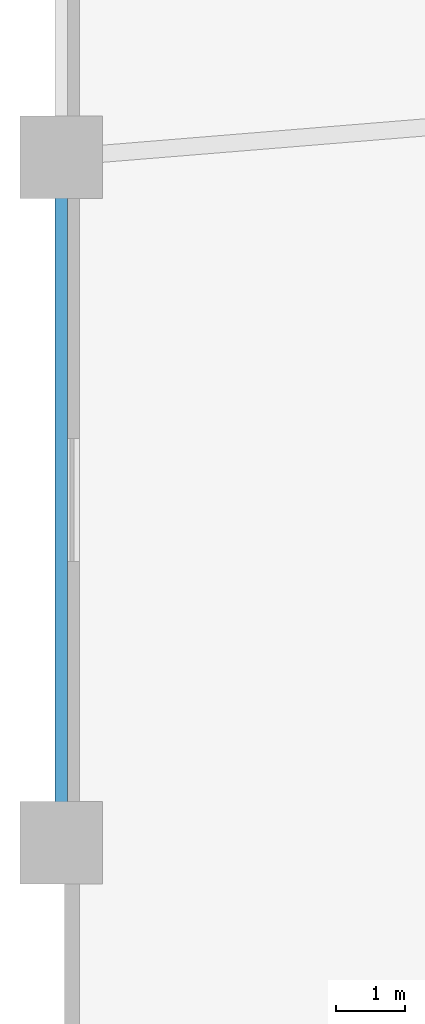
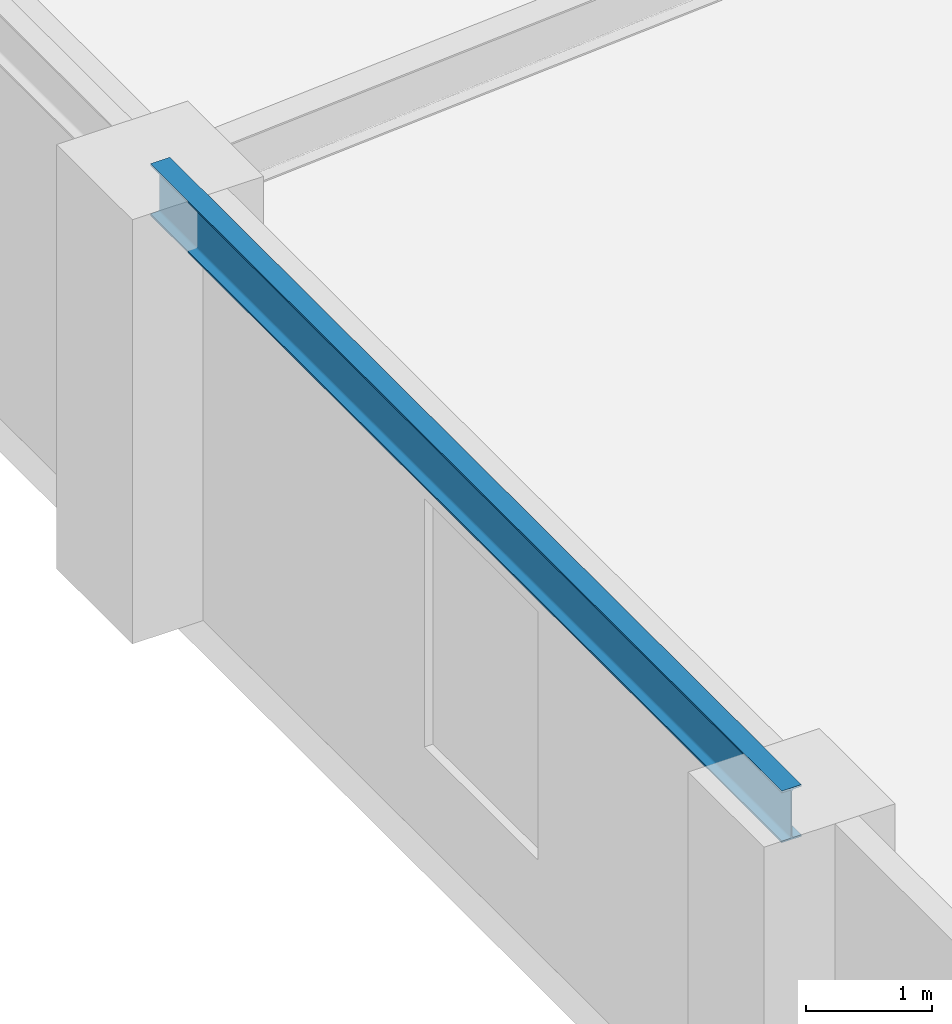
# One storey, part 3 of 23: 1 beam.
"""IFC4 building model written with IfcOpenShell, lengths in metres."""

import ifcopenshell
import ifcopenshell.guid

model = None  # the IFC model being written
_history = None  # IfcOwnerHistory: only IFC2X3 demands one
_inside = {}  # id of a spatial element -> (the spatial element, [elements in it])
_under = {}  # id of a project, library or spatial element -> (it, [spatial elements below it])
_declared = {}  # id of a project -> (the project, [libraries it declares])
_typed = {}  # id of a type object -> (the type object, [elements of that type])
_made_of = {}  # id of a material, layer set ... -> (it, [elements and type objects made of it])


def new_model(schema):
    """Start an empty IFC model of exactly this schema.

    Asked for "IFC4X3", IfcOpenShell would pick the latest addendum, in which some entities
    have other attributes; the version numbers below select the first issue.
    IFC2X3 requires an IfcOwnerHistory on every rooted entity: one is made here for all.
    """
    global model, _history
    if schema == "IFC4X3":
        model = ifcopenshell.file(schema_version=(4, 3, 0, 0))
    else:
        model = ifcopenshell.file(schema=schema)
    _inside.clear()
    _under.clear()
    _declared.clear()
    _typed.clear()
    _made_of.clear()
    _history = None
    if model.schema == "IFC2X3":
        org = make("IfcOrganization", Name="unknown")
        user = make(
            "IfcPersonAndOrganization",
            ThePerson=make("IfcPerson", FamilyName="unknown"),
            TheOrganization=org,
        )
        app = make(
            "IfcApplication",
            ApplicationDeveloper=org,
            Version="unknown",
            ApplicationFullName="unknown",
            ApplicationIdentifier="unknown",
        )
        _history = make(
            "IfcOwnerHistory",
            OwningUser=user,
            OwningApplication=app,
            ChangeAction="ADDED",
            CreationDate=0,
        )
    return model


def make(cls, **values):
    """One entity of the class cls with the attributes given. An attribute that is None is left unset."""
    return model.create_entity(
        cls, **{name: value for name, value in values.items() if value is not None}
    )


def rooted(cls, **values):
    """An entity with a GlobalId (a new one), such as an element, a storey or a relation."""
    return make(cls, GlobalId=ifcopenshell.guid.new(), OwnerHistory=_history, **values)


def si_unit(unit_type, name, prefix=None):
    """IfcSIUnit, for example si_unit("LENGTHUNIT", "METRE", prefix="MILLI")."""
    return make("IfcSIUnit", UnitType=unit_type, Prefix=prefix, Name=name)


def assignment(units):
    """IfcUnitAssignment: the units of a project."""
    return None if units is None else make("IfcUnitAssignment", Units=units)


def point(xyz):
    """IfcCartesianPoint."""
    return None if xyz is None else make("IfcCartesianPoint", Coordinates=xyz)


def direction(xyz):
    """IfcDirection."""
    return None if xyz is None else make("IfcDirection", DirectionRatios=xyz)


def frame(location, z_axis=None, x_axis=None):
    """IfcAxis2Placement3D, a coordinate frame: its origin and axes. An axis left out is left unset."""
    return make(
        "IfcAxis2Placement3D",
        Location=point(location),
        Axis=direction(z_axis),
        RefDirection=direction(x_axis),
    )


def frame_2d(location, x_axis=None):
    """IfcAxis2Placement2D, a coordinate frame in the plane: its origin and x axis."""
    return make(
        "IfcAxis2Placement2D", Location=point(location), RefDirection=direction(x_axis)
    )


def origin():
    """The frame at (0, 0, 0) with its axes left unset."""
    return frame((0.0, 0.0, 0.0))


def origin_2d():
    """The frame at (0, 0) in the plane with its x axis left unset."""
    return frame_2d((0.0, 0.0))


def place(relative_to, where):
    """IfcLocalPlacement: puts the frame where relative to a parent placement (None: the world)."""
    return make(
        "IfcLocalPlacement", PlacementRelTo=relative_to, RelativePlacement=where
    )


def context(
    kind, dimensions, precision=None, world=None, true_north=None, identifier=None
):
    """IfcGeometricRepresentationContext, for example the 3D "Model" context."""
    return make(
        "IfcGeometricRepresentationContext",
        ContextIdentifier=identifier,
        ContextType=kind,
        CoordinateSpaceDimension=dimensions,
        Precision=precision,
        WorldCoordinateSystem=world,
        TrueNorth=true_north,
    )


def subcontext(parent, identifier, kind, view, scale=None):
    """IfcGeometricRepresentationSubContext, for example "Body" below "Model"."""
    return make(
        "IfcGeometricRepresentationSubContext",
        ContextIdentifier=identifier,
        ContextType=kind,
        ParentContext=parent,
        TargetScale=scale,
        TargetView=view,
    )


def project(units=None, contexts=None):
    """IfcProject with its units and contexts."""
    return rooted(
        "IfcProject",
        Name="project",
        RepresentationContexts=contexts,
        UnitsInContext=assignment(units),
    )


def spatial(cls, under=None, at=None, **own):
    """A site, building, storey or space (cls), placed at a placement, below another one or the project."""
    s = rooted(cls, ObjectPlacement=at, **own)
    if under is not None:
        _under.setdefault(under.id(), (under, []))[1].append(s)
    return s


def profile(cls, at=None, kind="AREA", **sizes):
    """A parametric profile (cls). Its sizes go by their IFC names, for example OverallWidth=200.0."""
    return make(cls, ProfileType=kind, Position=at, **sizes)


def i_section(**sizes):
    """IfcIShapeProfileDef."""
    return profile("IfcIShapeProfileDef", **sizes)


def extrude(swept, where, along, depth):
    """IfcExtrudedAreaSolid: the profile swept, set in the frame where, extruded along a direction by depth."""
    return make(
        "IfcExtrudedAreaSolid",
        SweptArea=swept,
        Position=where,
        ExtrudedDirection=direction(along),
        Depth=depth,
    )


def shape(context_of_items, identifier, shape_type, items):
    """IfcShapeRepresentation: the items that make up one representation, for example the "Body"."""
    return make(
        "IfcShapeRepresentation",
        ContextOfItems=context_of_items,
        RepresentationIdentifier=identifier,
        RepresentationType=shape_type,
        Items=items,
    )


def source(mapping_origin, context_of_items, identifier, shape_type, items):
    """IfcRepresentationMap: a shape defined once, which mapped items show again and again."""
    return make(
        "IfcRepresentationMap",
        MappingOrigin=mapping_origin,
        MappedRepresentation=shape(context_of_items, identifier, shape_type, items),
    )


def transform(
    local_origin,
    x_axis=None,
    y_axis=None,
    z_axis=None,
    scale=None,
    scale2=None,
    scale3=None,
    uniform=True,
):
    """IfcCartesianTransformationOperator3D, or its non-uniform kind. x_axis, y_axis, z_axis: its Axis1, 2, 3."""
    if uniform:
        return make(
            "IfcCartesianTransformationOperator3D",
            Axis1=direction(x_axis),
            Axis2=direction(y_axis),
            LocalOrigin=point(local_origin),
            Scale=scale,
            Axis3=direction(z_axis),
        )
    return make(
        "IfcCartesianTransformationOperator3DnonUniform",
        Axis1=direction(x_axis),
        Axis2=direction(y_axis),
        LocalOrigin=point(local_origin),
        Scale=scale,
        Axis3=direction(z_axis),
        Scale2=scale2,
        Scale3=scale3,
    )


def mapped(mapping_source, mapping_target):
    """IfcMappedItem: shows the shape of a source again, moved by a transform."""
    return make(
        "IfcMappedItem", MappingSource=mapping_source, MappingTarget=mapping_target
    )


def material(Name=None, Category=None):
    """IfcMaterial."""
    return make("IfcMaterial", Name=Name, Category=Category)


def material_profile(
    of_material, cross_section, Name=None, Category=None, Priority=None
):
    """IfcMaterialProfile: a cross section and its material."""
    return make(
        "IfcMaterialProfile",
        Name=Name,
        Material=of_material,
        Profile=cross_section,
        Priority=Priority,
        Category=Category,
    )


def profile_set(profiles, Name=None, composite=None):
    """IfcMaterialProfileSet."""
    return make(
        "IfcMaterialProfileSet",
        Name=Name,
        MaterialProfiles=profiles,
        CompositeProfile=composite,
    )


def made_of(thing, what):
    """Note that an element or type object is made of a material, layer set ...; save() writes the relation."""
    if what is not None:
        _made_of.setdefault(what.id(), (what, []))[1].append(thing)
    return thing


def type_object(cls, material=None, **own):
    """A type object (cls), such as IfcWallType, which elements share."""
    return made_of(rooted(cls, **own), material)


def element(
    cls,
    number,
    at=None,
    inside=None,
    cuts=None,
    type_object=None,
    material=None,
    context=None,
    identifier="Body",
    shape_type=None,
    held_by="IfcProductDefinitionShape",
    body=None,
    shapes=None,
    **own,
):
    """One element of the class cls, such as IfcWall. Its Tag is "e" and its number.

    at: its placement. inside: the storey or other place that contains it. cuts: it is an
    opening in that element (IfcRelVoidsElement). A single representation is given by context,
    identifier, shape_type and body (its items); several are given by shapes. held_by: the class
    of the entity that holds the representations. save() writes the other relations.
    """
    e = rooted(cls, Tag="e%d" % number, ObjectPlacement=at, **own)
    if body is not None:
        shapes = [shape(context, identifier, shape_type, body)]
    if shapes is not None:
        e.Representation = make(held_by, Representations=shapes)
    if inside is not None:
        _inside.setdefault(inside.id(), (inside, []))[1].append(e)
    if cuts is not None:
        rooted(
            "IfcRelVoidsElement", RelatingBuildingElement=cuts, RelatedOpeningElement=e
        )
    if type_object is not None:
        _typed.setdefault(type_object.id(), (type_object, []))[1].append(e)
    return made_of(e, material)


def aggregate(whole, parts):
    """IfcRelAggregates: a whole, such as a stair, and the parts it consists of."""
    return rooted("IfcRelAggregates", RelatingObject=whole, RelatedObjects=parts)


def save(model, path):
    """Write the relations noted so far, then the file.

    IfcRelAggregates (storeys below a building ...), IfcRelContainedInSpatialStructure (elements
    in a storey), IfcRelDefinesByType, IfcRelAssociatesMaterial and IfcRelDeclares: one each for
    every whole, place, type object, material and project.
    """
    for whole, parts in _under.values():
        aggregate(whole, parts)
    for where, things in _inside.values():
        rooted(
            "IfcRelContainedInSpatialStructure",
            RelatedElements=things,
            RelatingStructure=where,
        )
    for kind, things in _typed.values():
        rooted("IfcRelDefinesByType", RelatedObjects=things, RelatingType=kind)
    for what, things in _made_of.values():
        rooted("IfcRelAssociatesMaterial", RelatedObjects=things, RelatingMaterial=what)
    for by, libraries in _declared.values():
        rooted("IfcRelDeclares", RelatingContext=by, RelatedDefinitions=libraries)
    model.write(path)


model = new_model("IFC4")

# Units and contexts
model_context = context("Model", 3, precision=1e-05, world=origin(), true_north=direction((0.0, 1.0)))
body_context = subcontext(model_context, "Body", "Model", "MODEL_VIEW")
ifc_project = project(units=[si_unit("LENGTHUNIT", "METRE"), si_unit("AREAUNIT", "SQUARE_METRE"), si_unit("VOLUMEUNIT", "CUBIC_METRE"), si_unit("PLANEANGLEUNIT", "RADIAN"), si_unit("MASSUNIT", "GRAM", prefix="KILO")], contexts=[model_context])

# Site, building, storey
site_placement = place(None, origin())
site = spatial("IfcSite", under=ifc_project, at=site_placement, CompositionType="ELEMENT")
building_placement = place(site_placement, origin())
building = spatial("IfcBuilding", under=site, at=building_placement, Name="Sahyath Konkavel Grand Hotel", CompositionType="ELEMENT")
storey_placement = place(building_placement, frame((0.0, 0.0, 4.800048828125)))
storey = spatial("IfcBuildingStorey", under=building, at=storey_placement, Name="L01", CompositionType="ELEMENT", Elevation=4.800048828125)

# Beam
ifc_material = material(Name="Steel E350", Category="steel")
ifc_material_profile = material_profile(ifc_material, i_section(OverallWidth=0.179931640625, OverallDepth=0.5, WebThickness=0.01025390625, FlangeThickness=0.01708984375, FilletRadius=0.01708984375, at=origin_2d()), Name="ISMB 500")
ifc_profile_set = profile_set([ifc_material_profile], Name="Steel E350")
beam_type = type_object("IfcBeamType", Name="BM-ISMB500", PredefinedType="BEAM", material=ifc_profile_set)
shared_shape = source(origin(), body_context, "Body", "SweptSolid", [
    extrude(i_section(OverallWidth=0.179931640625, OverallDepth=0.5, WebThickness=0.01025390625, FlangeThickness=0.01708984375, FilletRadius=0.01708984375, at=origin_2d()), origin(), (0.0, 0.0, 1.0), 10.0),
])
beam_placement = place(storey_placement, frame((-33.199951171875, -16.800048828125, 3.849853515625), z_axis=(0.0, 1.0, 0.0), x_axis=(-1.0, 0.0, 0.0)))
element("IfcBeam", 1, at=beam_placement, inside=storey, type_object=beam_type, Name="str:bm:L01:POD-14", PredefinedType="BEAM", context=body_context, shape_type="MappedRepresentation", body=[
    mapped(shared_shape, transform((0.0, 0.0, 0.0), scale=1.0)),
])

save(model, "model.ifc")
